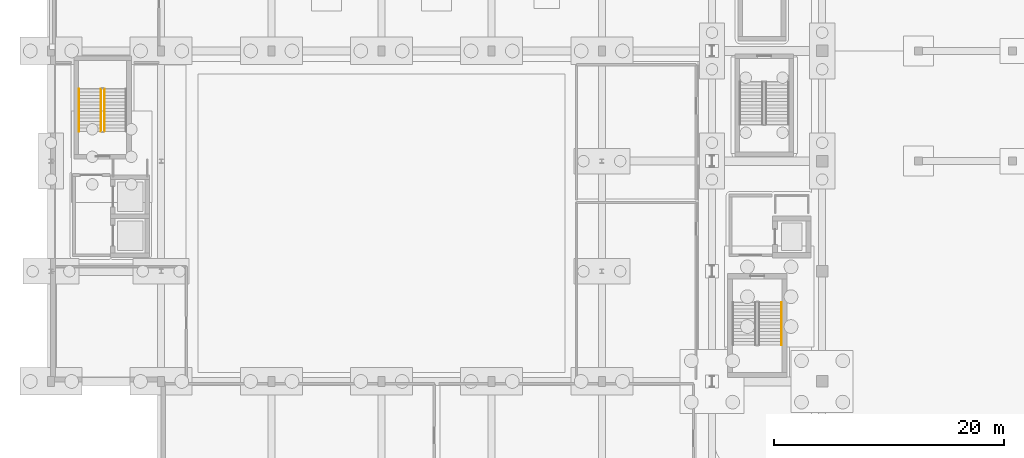
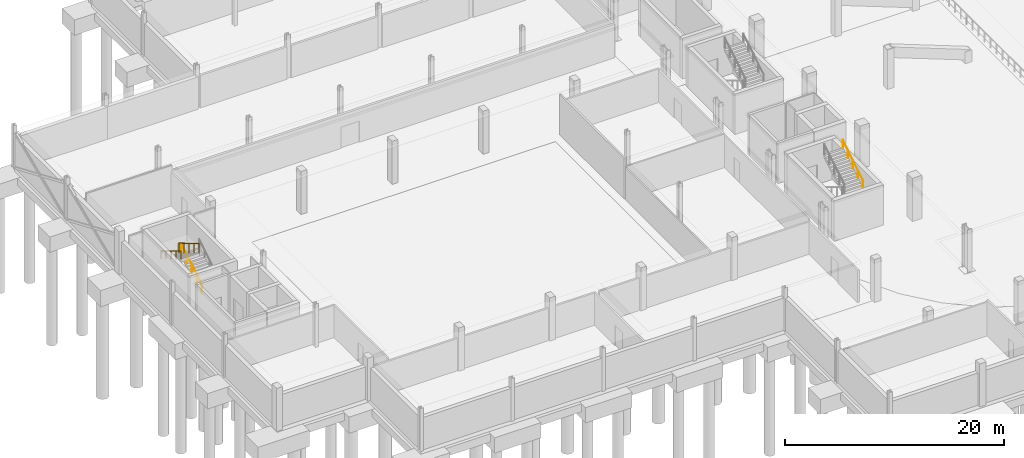
# One storey, part 45 of 67: 4 railings.
"""IFC4 building model written with IfcOpenShell, lengths in metres."""

from ifc_helpers import new_model, si_unit, direction, frame, origin, origin_2d, place, context, subcontext, project, spatial, circle, extrude, material, type_object, element, save


model = new_model("IFC4")

# Units and contexts
model_context = context("Model", 3, precision=1e-05, world=origin(), true_north=direction((0.0, 1.0)))
body_context = subcontext(model_context, "Body", "Model", "MODEL_VIEW")
ifc_project = project(units=[si_unit("LENGTHUNIT", "METRE"), si_unit("AREAUNIT", "SQUARE_METRE"), si_unit("VOLUMEUNIT", "CUBIC_METRE"), si_unit("PLANEANGLEUNIT", "RADIAN"), si_unit("MASSUNIT", "GRAM", prefix="KILO")], contexts=[model_context])

# Site, building, storey
site_placement = place(None, origin())
site = spatial("IfcSite", under=ifc_project, at=site_placement, CompositionType="ELEMENT")
building_placement = place(site_placement, origin())
building = spatial("IfcBuilding", under=site, at=building_placement, Name="Caelomonte Colonnade Arena", CompositionType="ELEMENT")
storey_placement = place(building_placement, frame((0.0, 0.0, -4.800048828125)))
storey = spatial("IfcBuildingStorey", under=building, at=storey_placement, Name="B1", CompositionType="ELEMENT", Elevation=-4.800048828125)

# Railings
ifc_material_1 = material(Name="Painted galvanized steel stair guard", Category="steel")
railing_type_1 = type_object("IfcRailingType", Name="INT-RL-GRD", PredefinedType="GUARDRAIL", material=ifc_material_1)
railing_1_placement = place(storey_placement, frame((4.64990234375, 60.199951171875, 0.17138671875)))
element("IfcRailing", 1, at=railing_1_placement, inside=storey, type_object=railing_type_1, Name="B1 ST-08 stair guard 1", PredefinedType="GUARDRAIL", context=body_context, shape_type="SweptSolid", body=[
    extrude(circle(Radius=0.02392578125, at=origin_2d()), frame((0.0, 0.0, 1.076171875), z_axis=(0.0, 0.856909459561, 0.515466951525), x_axis=(-1.0, 0.0, 0.0)), (0.0, 0.0, 1.0), 4.32373046875),
    extrude(circle(Radius=0.02099609375, at=origin_2d()), origin(), (0.0, 0.0, 1.0), 1.048095703125),
    extrude(circle(Radius=0.02099609375, at=origin_2d()), frame((0.0, 0.92626953125, 0.55712890625)), (0.0, 0.0, 1.0), 1.048095703125),
    extrude(circle(Radius=0.02099609375, at=origin_2d()), frame((0.0, 1.8525390625, 1.1142578125)), (0.0, 0.0, 1.0), 1.048095703125),
    extrude(circle(Radius=0.02099609375, at=origin_2d()), frame((0.0, 2.77880859375, 1.671630859375)), (0.0, 0.0, 1.0), 1.048095703125),
    extrude(circle(Radius=0.02099609375, at=origin_2d()), frame((0.0, 3.705078125, 2.228759765625)), (0.0, 0.0, 1.0), 1.048095703125),
])
railing_2_placement = place(storey_placement, frame((4.35009765625, 63.905029296875, 2.571533203125)))
element("IfcRailing", 2, at=railing_2_placement, inside=storey, type_object=railing_type_1, Name="B1 ST-08 stair guard 3", PredefinedType="GUARDRAIL", context=body_context, shape_type="SweptSolid", body=[
    extrude(circle(Radius=0.02392578125, at=origin_2d()), frame((0.0, 0.0, 1.076171875), z_axis=(0.0, -0.856934400257, 0.515425487977), x_axis=(1.0, 0.0, 0.0)), (0.0, 0.0, 1.0), 4.32373046875),
    extrude(circle(Radius=0.02099609375, at=origin_2d()), origin(), (0.0, 0.0, 1.0), 1.048095703125),
    extrude(circle(Radius=0.02099609375, at=origin_2d()), frame((0.0, -0.92626953125, 0.55712890625)), (0.0, 0.0, 1.0), 1.048095703125),
    extrude(circle(Radius=0.02099609375, at=origin_2d()), frame((0.0, -1.8525390625, 1.1142578125)), (0.0, 0.0, 1.0), 1.048095703125),
    extrude(circle(Radius=0.02099609375, at=origin_2d()), frame((0.0, -2.77880859375, 1.67138671875)), (0.0, 0.0, 1.0), 1.048095703125),
    extrude(circle(Radius=0.02099609375, at=origin_2d()), frame((0.0, -3.705078125, 2.228515625)), (0.0, 0.0, 1.0), 1.048095703125),
])
ifc_material_2 = material(Name="Brushed stainless steel stair handrail", Category="steel")
railing_type_2 = type_object("IfcRailingType", Name="INT-RL-HR", PredefinedType="HANDRAIL", material=ifc_material_2)
railing_3_placement = place(storey_placement, frame((63.64990234375, 41.594970703125, 2.571533203125)))
element("IfcRailing", 3, at=railing_3_placement, inside=storey, type_object=railing_type_2, Name="B1 ST-01 stair handrail 2", PredefinedType="HANDRAIL", context=body_context, shape_type="SweptSolid", body=[
    extrude(circle(Radius=0.02392578125, at=origin_2d()), frame((0.0, 0.0, 0.8759765625), z_axis=(0.0, 0.856934400257, 0.515425487977), x_axis=(-1.0, 0.0, 0.0)), (0.0, 0.0, 1.0), 4.32373046875),
    extrude(circle(Radius=0.02099609375, at=origin_2d()), origin(), (0.0, 0.0, 1.0), 0.847900390625),
    extrude(circle(Radius=0.02099609375, at=origin_2d()), frame((0.0, 0.92626953125, 0.55712890625)), (0.0, 0.0, 1.0), 0.847900390625),
    extrude(circle(Radius=0.02099609375, at=origin_2d()), frame((0.0, 1.8525390625, 1.1142578125)), (0.0, 0.0, 1.0), 0.847900390625),
    extrude(circle(Radius=0.02099609375, at=origin_2d()), frame((0.0, 2.77880859375, 1.67138671875)), (0.0, 0.0, 1.0), 0.847900390625),
    extrude(circle(Radius=0.02099609375, at=origin_2d()), frame((0.0, 3.705078125, 2.228515625)), (0.0, 0.0, 1.0), 0.847900390625),
])
railing_4_placement = place(storey_placement, frame((2.449951171875, 63.905029296875, 2.571533203125)))
element("IfcRailing", 4, at=railing_4_placement, inside=storey, type_object=railing_type_2, Name="B1 ST-08 stair handrail 2", PredefinedType="HANDRAIL", context=body_context, shape_type="SweptSolid", body=[
    extrude(circle(Radius=0.02392578125, at=origin_2d()), frame((0.0, 0.0, 0.8759765625), z_axis=(0.0, -0.856934400257, 0.515425487977), x_axis=(1.0, 0.0, 0.0)), (0.0, 0.0, 1.0), 4.32373046875),
    extrude(circle(Radius=0.02099609375, at=origin_2d()), origin(), (0.0, 0.0, 1.0), 0.847900390625),
    extrude(circle(Radius=0.02099609375, at=origin_2d()), frame((0.0, -0.92626953125, 0.55712890625)), (0.0, 0.0, 1.0), 0.847900390625),
    extrude(circle(Radius=0.02099609375, at=origin_2d()), frame((0.0, -1.8525390625, 1.1142578125)), (0.0, 0.0, 1.0), 0.847900390625),
    extrude(circle(Radius=0.02099609375, at=origin_2d()), frame((0.0, -2.77880859375, 1.67138671875)), (0.0, 0.0, 1.0), 0.847900390625),
    extrude(circle(Radius=0.02099609375, at=origin_2d()), frame((0.0, -3.705078125, 2.228515625)), (0.0, 0.0, 1.0), 0.847900390625),
])

save(model, "model.ifc")
